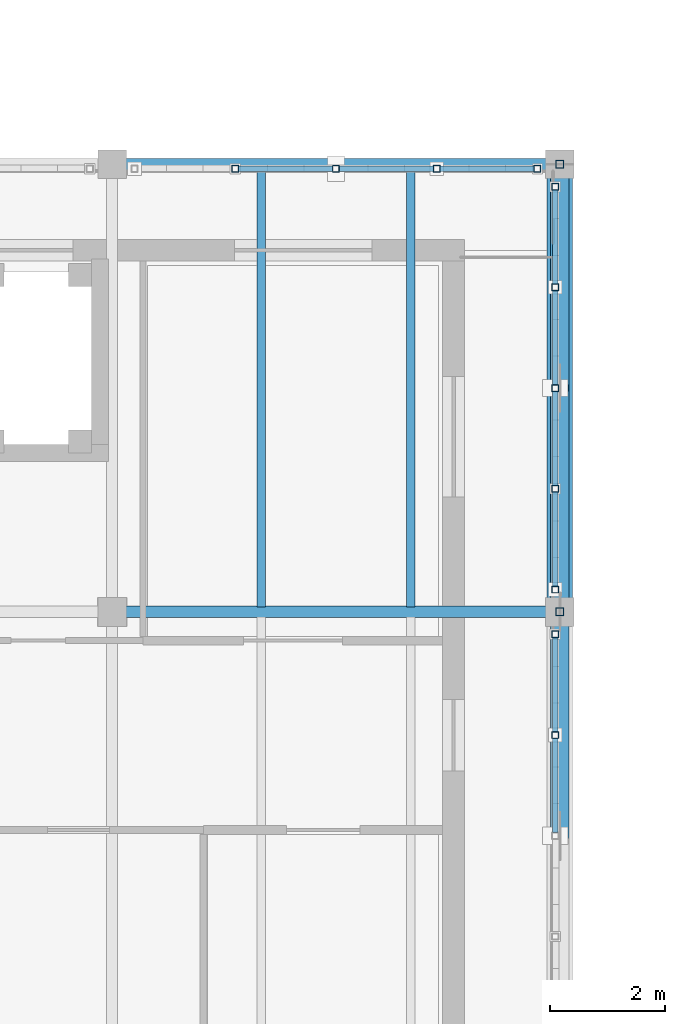
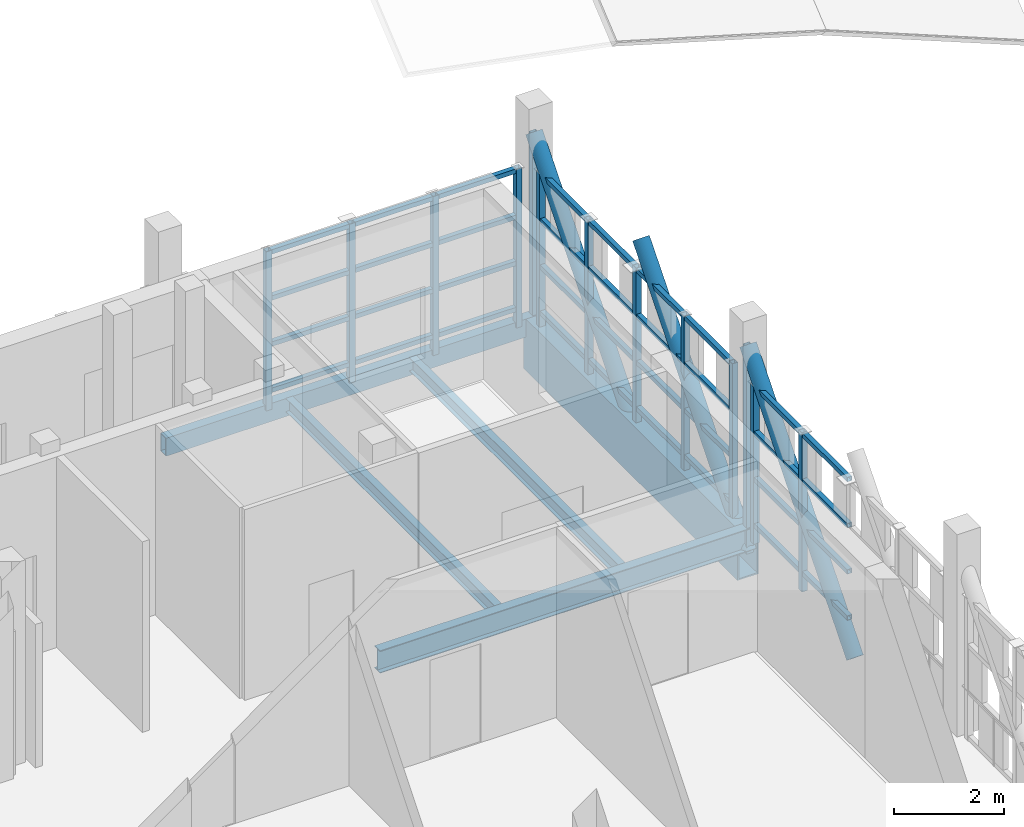
# One storey, part 32 of 89: 52 members, 5 beams.
"""IFC4 building model written with IfcOpenShell, lengths in metres."""

from ifc_helpers import new_model, si_unit, direction, frame, origin, origin_2d, place, context, subcontext, project, spatial, hollow_rectangle, hollow_circle, i_section, extrude, material, material_profile, profile_set, type_object, element, save


model = new_model("IFC4")

# Units and contexts
model_context = context("Model", 3, precision=1e-05, world=origin(), true_north=direction((0.0, 1.0)))
body_context = subcontext(model_context, "Body", "Model", "MODEL_VIEW")
ifc_project = project(units=[si_unit("LENGTHUNIT", "METRE"), si_unit("AREAUNIT", "SQUARE_METRE"), si_unit("VOLUMEUNIT", "CUBIC_METRE"), si_unit("PLANEANGLEUNIT", "RADIAN"), si_unit("MASSUNIT", "GRAM", prefix="KILO")], contexts=[model_context])

# Site, building, storey
site_placement = place(None, origin())
site = spatial("IfcSite", under=ifc_project, at=site_placement, CompositionType="ELEMENT")
building_placement = place(site_placement, origin())
building = spatial("IfcBuilding", under=site, at=building_placement, Name="Celorna Specialist Clinic", CompositionType="ELEMENT")
storey_placement = place(building_placement, frame((0.0, 0.0, 14.10009765625)))
storey = spatial("IfcBuildingStorey", under=building, at=storey_placement, Name="L03", CompositionType="ELEMENT", Elevation=14.10009765625)

# Beams
ifc_material = material(Name="Steel S355", Category="steel")
ifc_material_profile_1 = material_profile(ifc_material, hollow_rectangle(XDim=0.449951171875, YDim=1.14990234375, WallThickness=0.031982421875, at=origin_2d()), Name="BOX 450x1150x32")
ifc_profile_set_1 = profile_set([ifc_material_profile_1], Name="Steel S355")
beam_type_1 = type_object("IfcBeamType", Name="BM-01", PredefinedType="BEAM", material=ifc_profile_set_1)
beam_1_placement = place(storey_placement, frame((85.800048828125, 35.10009765625, -0.835205078125), z_axis=(0.0, 1.0, 0.0), x_axis=(-1.0, 0.0, 0.0)))
element("IfcBeam", 1, at=beam_1_placement, inside=storey, type_object=beam_type_1, Name="Cantilever Pratt truss chord WP-073-WP-074", PredefinedType="BEAM", context=body_context, shape_type="SweptSolid", body=[
    extrude(hollow_rectangle(XDim=0.449951171875, YDim=1.14990234375, WallThickness=0.031982421875, at=origin_2d()), origin(), (0.0, 0.0, 1.0), 7.7998046875),
])
ifc_material_profile_2 = material_profile(ifc_material, i_section(OverallWidth=0.199951171875, OverallDepth=0.5, WebThickness=0.01025390625, FlangeThickness=0.01611328125, at=origin_2d()), Name="IPE 500")
ifc_profile_set_2 = profile_set([ifc_material_profile_2], Name="Steel S355")
beam_type_2 = type_object("IfcBeamType", Name="BM-08", PredefinedType="BEAM", material=ifc_profile_set_2)
beam_2_placement = place(storey_placement, frame((78.0, 35.10009765625, -0.510009765625), z_axis=(1.0, 0.0, 0.0), x_axis=(0.0, 1.0, 0.0)))
element("IfcBeam", 2, at=beam_2_placement, inside=storey, type_object=beam_type_2, Name="Primary girder BM-08 #2169", PredefinedType="BEAM", context=body_context, shape_type="SweptSolid", body=[
    extrude(i_section(OverallWidth=0.199951171875, OverallDepth=0.5, WebThickness=0.01025390625, FlangeThickness=0.01611328125, at=origin_2d()), origin(), (0.0, 0.0, 1.0), 7.800048828125),
])
ifc_material_profile_3 = material_profile(ifc_material, i_section(OverallWidth=0.14990234375, OverallDepth=0.300048828125, WebThickness=0.007080078125, FlangeThickness=0.0107421875, at=origin_2d()), Name="IPE 300")
ifc_profile_set_3 = profile_set([ifc_material_profile_3], Name="Steel S355")
beam_type_3 = type_object("IfcBeamType", Name="BM-13", PredefinedType="JOIST", material=ifc_profile_set_3)
for number, where, z_axis, x_axis, name in (
    (3, (80.60009765625, 35.18798828125, -0.41015625), (0.0, 1.0, 0.0), (-1.0, 0.0, 0.0), "Secondary floor joist BM-13 #2198"),
    (4, (83.199951171875, 35.18798828125, -0.41015625), (0.0, 1.0, 0.0), (-1.0, 0.0, 0.0), "Secondary floor joist BM-13 #2199"),
):
    element("IfcBeam", number, at=place(storey_placement, frame(where, z_axis=z_axis, x_axis=x_axis)), inside=storey, type_object=beam_type_3, Name=name, PredefinedType="JOIST", context=body_context, shape_type="SweptSolid", body=[
        extrude(i_section(OverallWidth=0.14990234375, OverallDepth=0.300048828125, WebThickness=0.007080078125, FlangeThickness=0.0107421875, at=origin_2d()), origin(), (0.0, 0.0, 1.0), 7.6240234375),
    ])
ifc_material_profile_4 = material_profile(ifc_material, hollow_rectangle(XDim=0.199951171875, YDim=0.39990234375, WallThickness=0.011962890625, at=origin_2d()), Name="RHS 200x400x12")
ifc_profile_set_4 = profile_set([ifc_material_profile_4], Name="Steel S355")
beam_type_4 = type_object("IfcBeamType", Name="BM-15", PredefinedType="SPANDREL", material=ifc_profile_set_4)
beam_3_placement = place(storey_placement, frame((78.0, 42.89990234375, -0.460205078125), z_axis=(1.0, 0.0, 0.0), x_axis=(0.0, 1.0, 0.0)))
element("IfcBeam", 5, at=beam_3_placement, inside=storey, type_object=beam_type_4, Name="Spandrel beam BM-15 #2173", PredefinedType="SPANDREL", context=body_context, shape_type="SweptSolid", body=[
    extrude(hollow_rectangle(XDim=0.199951171875, YDim=0.39990234375, WallThickness=0.011962890625, at=origin_2d()), origin(), (0.0, 0.0, 1.0), 7.800048828125),
])

# Members
ifc_material_profile_5 = material_profile(ifc_material, hollow_circle(Radius=0.161865234375, WallThickness=0.01611328125, at=origin_2d()), Name="CHS 323.9x16")
ifc_profile_set_5 = profile_set([ifc_material_profile_5], Name="Steel S355")
member_type_1 = type_object("IfcMemberType", Name="MB-05", PredefinedType="BRACE", material=ifc_profile_set_5)
member_placement = place(storey_placement, frame((85.800048828125, 31.199951171875, -0.835205078125), z_axis=(0.0, 0.646691395625, 0.762751754389), x_axis=(-1.0, 0.0, 0.0)))
element("IfcMember", 6, at=member_placement, inside=storey, type_object=member_type_1, Name="Cantilever Pratt truss web diagonal WP-088-WP-078", PredefinedType="BRACE", context=body_context, shape_type="SweptSolid", body=[
    extrude(hollow_circle(Radius=0.161865234375, WallThickness=0.01611328125, at=origin_2d()), origin(), (0.0, 0.0, 1.0), 6.031005859375),
])
for number, where, z_axis, x_axis, name in (
    (7, (85.800048828125, 35.10009765625, -0.835205078125), (0.0, 0.64666784298, 0.762771722638), (-1.0, 0.0, 0.0), "Cantilever Pratt truss web diagonal WP-073-WP-097"),
    (8, (85.800048828125, 39.0, -0.835205078125), (0.0, 0.64666784298, 0.762771722638), (-1.0, 0.0, 0.0), "Cantilever Pratt truss web diagonal WP-090-WP-079"),
):
    element("IfcMember", number, at=place(storey_placement, frame(where, z_axis=z_axis, x_axis=x_axis)), inside=storey, type_object=member_type_1, Name=name, PredefinedType="BRACE", context=body_context, shape_type="SweptSolid", body=[
        extrude(hollow_circle(Radius=0.161865234375, WallThickness=0.01611328125, at=origin_2d()), origin(), (0.0, 0.0, 1.0), 6.03076171875),
    ])
ifc_material_profile_6 = material_profile(ifc_material, hollow_rectangle(XDim=0.139892578125, YDim=0.139892578125, WallThickness=0.008056640625, at=origin_2d()), Name="SHS 140x140x8")
ifc_profile_set_6 = profile_set([ifc_material_profile_6], Name="Steel S355")
member_type_2 = type_object("IfcMemberType", Name="MB-10", PredefinedType="CHORD", material=ifc_profile_set_6)
for number, where, z_axis, x_axis, name in (
    (9, (85.800048828125, 35.10009765625, -0.835205078125), (0.0, 0.0, 1.0), (1.0, 0.0, 0.0), "Cantilever Pratt truss vertical post WP-073-WP-078"),
    (10, (85.800048828125, 42.89990234375, -0.835205078125), (0.0, 0.0, 1.0), (1.0, 0.0, 0.0), "Cantilever Pratt truss vertical post WP-074-WP-079"),
):
    element("IfcMember", number, at=place(storey_placement, frame(where, z_axis=z_axis, x_axis=x_axis)), inside=storey, type_object=member_type_2, Name=name, PredefinedType="CHORD", context=body_context, shape_type="SweptSolid", body=[
        extrude(hollow_rectangle(XDim=0.139892578125, YDim=0.139892578125, WallThickness=0.008056640625, at=origin_2d()), origin(), (0.0, 0.0, 1.0), 4.60009765625),
    ])
ifc_material_profile_7 = material_profile(ifc_material, hollow_rectangle(XDim=0.1201171875, YDim=0.1201171875, WallThickness=0.008056640625, at=origin_2d()), Name="SHS 120x120x8")
ifc_profile_set_7 = profile_set([ifc_material_profile_7], Name="Steel S355")
member_type_3 = type_object("IfcMemberType", Name="MB-11", PredefinedType="STUD", material=ifc_profile_set_7)
for number, where, z_axis, x_axis, name in (
    (11, (85.719970703125, 32.955078125, -0.360107421875), (0.0, 0.0, 1.0), (1.0, 0.0, 0.0), "Perforated screen steel post #500"),
    (12, (85.719970703125, 34.7099609375, -0.360107421875), (0.0, 0.0, 1.0), (1.0, 0.0, 0.0), "Perforated screen steel post #501"),
    (13, (85.719970703125, 35.489990234375, -0.360107421875), (0.0, 0.0, 1.0), (1.0, 0.0, 0.0), "Perforated screen steel post #518"),
    (14, (85.719970703125, 37.2451171875, -0.360107421875), (0.0, 0.0, 1.0), (1.0, 0.0, 0.0), "Perforated screen steel post #519"),
    (15, (85.719970703125, 39.0, -0.360107421875), (0.0, 0.0, 1.0), (1.0, 0.0, 0.0), "Perforated screen steel post #520"),
    (16, (85.719970703125, 40.7548828125, -0.360107421875), (0.0, 0.0, 1.0), (1.0, 0.0, 0.0), "Perforated screen steel post #521"),
    (17, (85.719970703125, 42.510009765625, -0.360107421875), (0.0, 0.0, 1.0), (1.0, 0.0, 0.0), "Perforated screen steel post #522"),
    (18, (80.14501953125, 42.820068359375, -0.360107421875), (0.0, 0.0, 1.0), (1.0, 0.0, 0.0), "Perforated screen steel post #687"),
    (19, (81.89990234375, 42.820068359375, -0.360107421875), (0.0, 0.0, 1.0), (1.0, 0.0, 0.0), "Perforated screen steel post #688"),
    (20, (83.655029296875, 42.820068359375, -0.360107421875), (0.0, 0.0, 1.0), (1.0, 0.0, 0.0), "Perforated screen steel post #689"),
    (21, (85.409912109375, 42.820068359375, -0.360107421875), (0.0, 0.0, 1.0), (1.0, 0.0, 0.0), "Perforated screen steel post #690"),
):
    element("IfcMember", number, at=place(storey_placement, frame(where, z_axis=z_axis, x_axis=x_axis)), inside=storey, type_object=member_type_3, Name=name, PredefinedType="STUD", context=body_context, shape_type="SweptSolid", body=[
        extrude(hollow_rectangle(XDim=0.1201171875, YDim=0.1201171875, WallThickness=0.008056640625, at=origin_2d()), origin(), (0.0, 0.0, 1.0), 3.5400390625),
    ])
ifc_material_profile_8 = material_profile(ifc_material, hollow_rectangle(XDim=0.10009765625, YDim=0.10009765625, WallThickness=0.006103515625, at=origin_2d()), Name="SHS 100x100x6")
ifc_profile_set_8 = profile_set([ifc_material_profile_8], Name="Steel S355")
member_type_4 = type_object("IfcMemberType", Name="MB-12", PredefinedType="STUD", material=ifc_profile_set_8)
for number, where, z_axis, x_axis, name in (
    (22, (85.719970703125, 31.260009765625, 0.0498046875), (0.0, 1.0, 0.0), (-1.0, 0.0, 0.0), "Perforated screen rail #510"),
    (23, (85.719970703125, 31.260009765625, 1.07666015625), (0.0, 1.0, 0.0), (-1.0, 0.0, 0.0), "Perforated screen rail #511"),
    (24, (85.719970703125, 31.260009765625, 2.103271484375), (0.0, 1.0, 0.0), (-1.0, 0.0, 0.0), "Perforated screen rail #512"),
    (25, (85.719970703125, 31.260009765625, 3.1298828125), (0.0, 1.0, 0.0), (-1.0, 0.0, 0.0), "Perforated screen rail #513"),
    (26, (85.719970703125, 33.014892578125, 0.0498046875), (0.0, 1.0, 0.0), (-1.0, 0.0, 0.0), "Perforated screen rail #514"),
    (27, (85.719970703125, 33.014892578125, 1.07666015625), (0.0, 1.0, 0.0), (-1.0, 0.0, 0.0), "Perforated screen rail #515"),
    (28, (85.719970703125, 33.014892578125, 2.103271484375), (0.0, 1.0, 0.0), (-1.0, 0.0, 0.0), "Perforated screen rail #516"),
    (29, (85.719970703125, 33.014892578125, 3.1298828125), (0.0, 1.0, 0.0), (-1.0, 0.0, 0.0), "Perforated screen rail #517"),
    (30, (85.719970703125, 35.550048828125, 0.0498046875), (0.0, 1.0, 0.0), (-1.0, 0.0, 0.0), "Perforated screen rail #523"),
    (31, (85.719970703125, 35.550048828125, 1.07666015625), (0.0, 1.0, 0.0), (-1.0, 0.0, 0.0), "Perforated screen rail #524"),
    (32, (85.719970703125, 35.550048828125, 2.103271484375), (0.0, 1.0, 0.0), (-1.0, 0.0, 0.0), "Perforated screen rail #525"),
    (33, (85.719970703125, 35.550048828125, 3.1298828125), (0.0, 1.0, 0.0), (-1.0, 0.0, 0.0), "Perforated screen rail #526"),
    (34, (85.719970703125, 37.304931640625, 0.0498046875), (0.0, 1.0, 0.0), (-1.0, 0.0, 0.0), "Perforated screen rail #527"),
    (35, (85.719970703125, 37.304931640625, 1.07666015625), (0.0, 1.0, 0.0), (-1.0, 0.0, 0.0), "Perforated screen rail #528"),
    (36, (85.719970703125, 37.304931640625, 2.103271484375), (0.0, 1.0, 0.0), (-1.0, 0.0, 0.0), "Perforated screen rail #529"),
    (37, (85.719970703125, 37.304931640625, 3.1298828125), (0.0, 1.0, 0.0), (-1.0, 0.0, 0.0), "Perforated screen rail #530"),
    (38, (85.719970703125, 39.06005859375, 0.0498046875), (0.0, 1.0, 0.0), (-1.0, 0.0, 0.0), "Perforated screen rail #531"),
    (39, (85.719970703125, 39.06005859375, 1.07666015625), (0.0, 1.0, 0.0), (-1.0, 0.0, 0.0), "Perforated screen rail #532"),
    (40, (85.719970703125, 39.06005859375, 2.103271484375), (0.0, 1.0, 0.0), (-1.0, 0.0, 0.0), "Perforated screen rail #533"),
    (41, (85.719970703125, 39.06005859375, 3.1298828125), (0.0, 1.0, 0.0), (-1.0, 0.0, 0.0), "Perforated screen rail #534"),
    (42, (85.719970703125, 40.81494140625, 0.0498046875), (0.0, 1.0, 0.0), (-1.0, 0.0, 0.0), "Perforated screen rail #535"),
    (43, (85.719970703125, 40.81494140625, 1.07666015625), (0.0, 1.0, 0.0), (-1.0, 0.0, 0.0), "Perforated screen rail #536"),
    (44, (85.719970703125, 40.81494140625, 2.103271484375), (0.0, 1.0, 0.0), (-1.0, 0.0, 0.0), "Perforated screen rail #537"),
    (45, (85.719970703125, 40.81494140625, 3.1298828125), (0.0, 1.0, 0.0), (-1.0, 0.0, 0.0), "Perforated screen rail #538"),
    (46, (80.205078125, 42.820068359375, 0.0498046875), (1.0, 0.0, 0.0), (0.0, 1.0, 0.0), "Perforated screen rail #695"),
    (47, (80.205078125, 42.820068359375, 1.07666015625), (1.0, 0.0, 0.0), (0.0, 1.0, 0.0), "Perforated screen rail #696"),
    (48, (80.205078125, 42.820068359375, 2.103271484375), (1.0, 0.0, 0.0), (0.0, 1.0, 0.0), "Perforated screen rail #697"),
    (49, (80.205078125, 42.820068359375, 3.1298828125), (1.0, 0.0, 0.0), (0.0, 1.0, 0.0), "Perforated screen rail #698"),
    (50, (81.9599609375, 42.820068359375, 0.0498046875), (1.0, 0.0, 0.0), (0.0, 1.0, 0.0), "Perforated screen rail #699"),
    (51, (81.9599609375, 42.820068359375, 1.07666015625), (1.0, 0.0, 0.0), (0.0, 1.0, 0.0), "Perforated screen rail #700"),
    (52, (81.9599609375, 42.820068359375, 2.103271484375), (1.0, 0.0, 0.0), (0.0, 1.0, 0.0), "Perforated screen rail #701"),
    (53, (81.9599609375, 42.820068359375, 3.1298828125), (1.0, 0.0, 0.0), (0.0, 1.0, 0.0), "Perforated screen rail #702"),
    (54, (83.715087890625, 42.820068359375, 0.0498046875), (1.0, 0.0, 0.0), (0.0, 1.0, 0.0), "Perforated screen rail #703"),
    (55, (83.715087890625, 42.820068359375, 1.07666015625), (1.0, 0.0, 0.0), (0.0, 1.0, 0.0), "Perforated screen rail #704"),
    (56, (83.715087890625, 42.820068359375, 2.103271484375), (1.0, 0.0, 0.0), (0.0, 1.0, 0.0), "Perforated screen rail #705"),
    (57, (83.715087890625, 42.820068359375, 3.1298828125), (1.0, 0.0, 0.0), (0.0, 1.0, 0.0), "Perforated screen rail #706"),
):
    element("IfcMember", number, at=place(storey_placement, frame(where, z_axis=z_axis, x_axis=x_axis)), inside=storey, type_object=member_type_4, Name=name, PredefinedType="STUD", context=body_context, shape_type="SweptSolid", body=[
        extrude(hollow_rectangle(XDim=0.10009765625, YDim=0.10009765625, WallThickness=0.006103515625, at=origin_2d()), origin(), (0.0, 0.0, 1.0), 1.635009765625),
    ])

save(model, "model.ifc")
